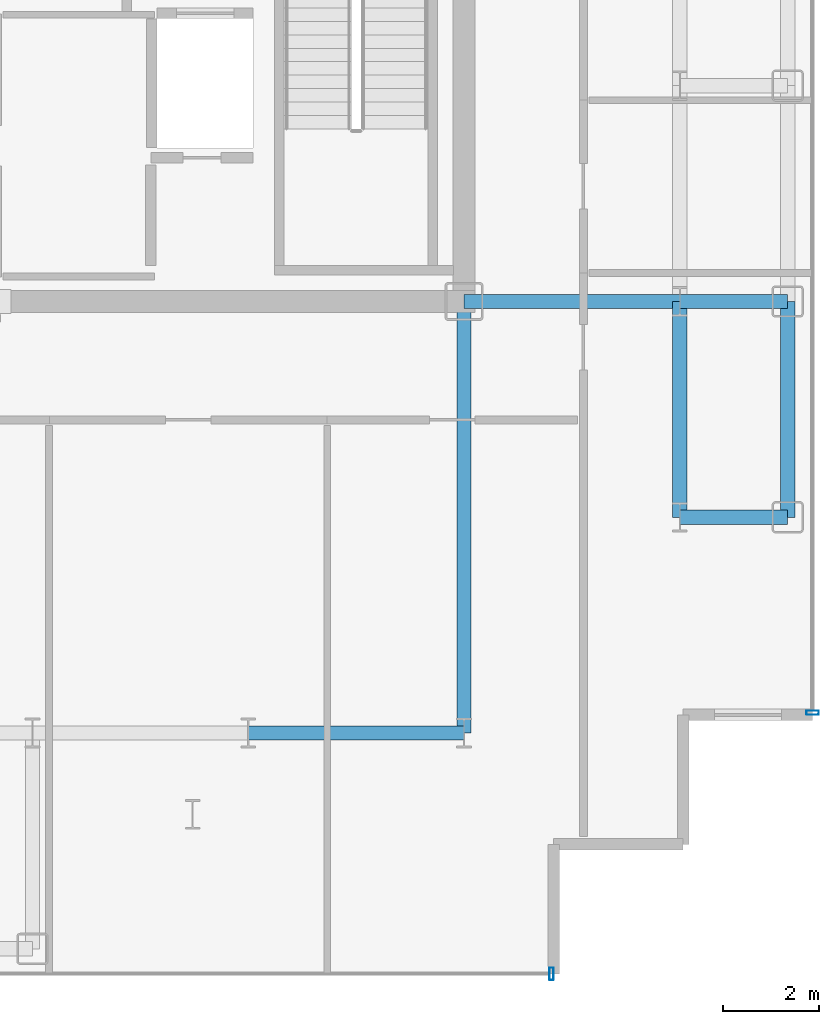
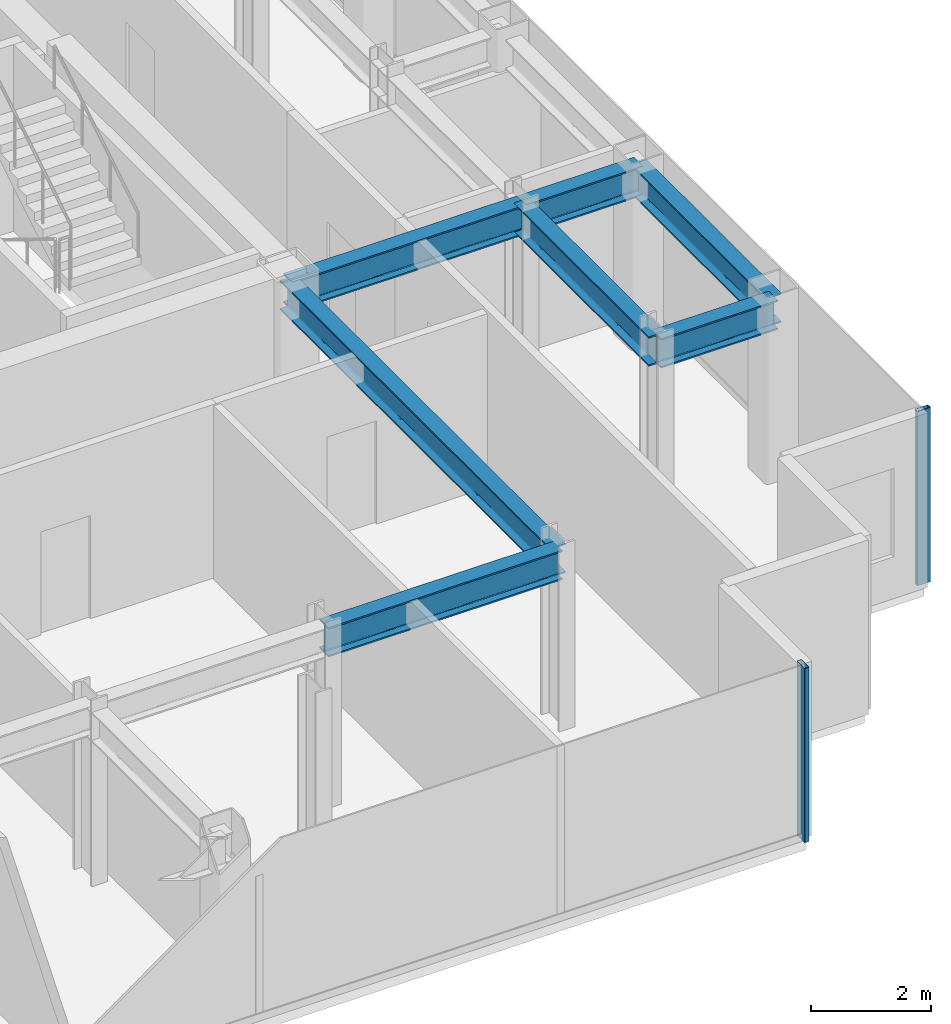
# One storey, part 6 of 18: 7 beams, 2 members, 2 elements without a shape of their own.
"""IFC4 building model written with IfcOpenShell, lengths in metres."""

from ifc_helpers import new_model, si_unit, direction, frame, origin, origin_2d, place, context, subcontext, project, spatial, hollow_rectangle, i_section, extrude, source, transform, mapped, material, layer, layer_set, material_profile, profile_set, type_object, element, aggregate, save


model = new_model("IFC4")

# Units and contexts
model_context = context("Model", 3, precision=1e-05, world=origin(), true_north=direction((0.0, 1.0)))
body_context = subcontext(model_context, "Body", "Model", "MODEL_VIEW")
ifc_project = project(units=[si_unit("LENGTHUNIT", "METRE"), si_unit("AREAUNIT", "SQUARE_METRE"), si_unit("VOLUMEUNIT", "CUBIC_METRE"), si_unit("PLANEANGLEUNIT", "RADIAN"), si_unit("MASSUNIT", "GRAM", prefix="KILO")], contexts=[model_context])

# Site, building, storey
site_placement = place(None, origin())
site = spatial("IfcSite", under=ifc_project, at=site_placement, CompositionType="ELEMENT")
building_placement = place(site_placement, origin())
building = spatial("IfcBuilding", under=site, at=building_placement, Name="Nefas-Gora Pilgrimage Tower", CompositionType="ELEMENT")
storey_placement = place(building_placement, frame((0.0, 0.0, 272.199951171875)))
storey = spatial("IfcBuildingStorey", under=building, at=storey_placement, Name="L68", CompositionType="ELEMENT", Elevation=272.199951171875)

# Beams
ifc_material_1 = material(Name="Steel S355", Category="steel")
ifc_material_profile_1 = material_profile(ifc_material_1, i_section(OverallWidth=0.300048828125, OverallDepth=0.60009765625, WebThickness=0.015380859375, FlangeThickness=0.030029296875, FilletRadius=0.027099609375, at=origin_2d()), Name="HEB 600")
ifc_profile_set_1 = profile_set([ifc_material_profile_1], Name="Steel S355")
beam_type_1 = type_object("IfcBeamType", Name="BM-SPN-HEB450", PredefinedType="SPANDREL", material=ifc_profile_set_1)
shared_shape_1 = source(origin(), body_context, "Body", "SweptSolid", [
    extrude(i_section(OverallWidth=0.300048828125, OverallDepth=0.60009765625, WebThickness=0.015380859375, FlangeThickness=0.030029296875, FilletRadius=0.027099609375, at=origin_2d()), origin(), (0.0, 0.0, 1.0), 4.5),
])
beam_1_placement = place(storey_placement, frame((18.0, -13.5, 3.25), z_axis=(0.0, 1.0, 0.0), x_axis=(-1.0, 0.0, 0.0)))
element("IfcBeam", 1, at=beam_1_placement, inside=storey, type_object=beam_type_1, Name="L68 SP-03 beam", PredefinedType="SPANDREL", context=body_context, shape_type="MappedRepresentation", body=[
    mapped(shared_shape_1, transform((0.0, 0.0, 0.0), x_axis=(1.0, 0.0, 0.0), y_axis=(0.0, 1.0, 0.0), z_axis=(0.0, 0.0, 1.0), scale=1.0)),
])
ifc_material_profile_2 = material_profile(ifc_material_1, i_section(OverallWidth=0.300048828125, OverallDepth=0.60009765625, WebThickness=0.015380859375, FlangeThickness=0.030029296875, FilletRadius=0.027099609375, at=origin_2d()), Name="HEB 600")
ifc_profile_set_2 = profile_set([ifc_material_profile_2], Name="Steel S355")
beam_type_2 = type_object("IfcBeamType", Name="BM-GIR-HEB600", PredefinedType="BEAM", material=ifc_profile_set_2)
shared_shape_2 = source(origin(), body_context, "Body", "SweptSolid", [
    extrude(i_section(OverallWidth=0.300048828125, OverallDepth=0.60009765625, WebThickness=0.015380859375, FlangeThickness=0.030029296875, FilletRadius=0.027099609375, at=origin_2d()), origin(), (0.0, 0.0, 1.0), 9.0),
])
beam_2_placement = place(storey_placement, frame((11.25, -18.0, 3.25), z_axis=(0.0, 1.0, 0.0), x_axis=(-1.0, 0.0, 0.0)))
element("IfcBeam", 2, at=beam_2_placement, inside=storey, type_object=beam_type_2, Name="L68 G-04 beam", PredefinedType="BEAM", context=body_context, shape_type="MappedRepresentation", body=[
    mapped(shared_shape_2, transform((0.0, 0.0, 0.0), x_axis=(1.0, 0.0, 0.0), y_axis=(0.0, 1.0, 0.0), z_axis=(0.0, 0.0, 1.0), scale=1.0)),
])
shared_shape_3 = source(origin(), body_context, "Body", "SweptSolid", [
    extrude(i_section(OverallWidth=0.300048828125, OverallDepth=0.60009765625, WebThickness=0.015380859375, FlangeThickness=0.030029296875, FilletRadius=0.027099609375, at=origin_2d()), origin(), (0.0, 0.0, 1.0), 4.5),
])
for number, where, z_axis, x_axis, name in (
    (3, (6.75, -18.0, 3.25), (1.0, 0.0, 0.0), (0.0, 1.0, 0.0), "L68 G-04 beam"),
    (4, (11.25, -9.0, 3.25), (1.0, 0.0, 0.0), (0.0, 1.0, 0.0), "L68 G-04 beam"),
    (5, (15.75, -13.5, 3.25), (0.0, 1.0, 0.0), (-1.0, 0.0, 0.0), "L68 G-04 beam"),
):
    element("IfcBeam", number, at=place(storey_placement, frame(where, z_axis=z_axis, x_axis=x_axis)), inside=storey, type_object=beam_type_2, Name=name, PredefinedType="BEAM", context=body_context, shape_type="MappedRepresentation", body=[
        mapped(shared_shape_3, transform((0.0, 0.0, 0.0), x_axis=(1.0, 0.0, 0.0), y_axis=(0.0, 1.0, 0.0), z_axis=(0.0, 0.0, 1.0), scale=1.0)),
    ])
shared_shape_4 = source(origin(), body_context, "Body", "SweptSolid", [
    extrude(i_section(OverallWidth=0.300048828125, OverallDepth=0.60009765625, WebThickness=0.015380859375, FlangeThickness=0.030029296875, FilletRadius=0.027099609375, at=origin_2d()), origin(), (0.0, 0.0, 1.0), 2.25),
])
for number, where, z_axis, x_axis, name in (
    (6, (15.75, -13.5, 3.25), (1.0, 0.0, 0.0), (0.0, 1.0, 0.0), "L68 G-04 beam"),
    (7, (15.75, -9.0, 3.25), (1.0, 0.0, 0.0), (0.0, 1.0, 0.0), "L68 G-04 beam"),
):
    element("IfcBeam", number, at=place(storey_placement, frame(where, z_axis=z_axis, x_axis=x_axis)), inside=storey, type_object=beam_type_2, Name=name, PredefinedType="BEAM", context=body_context, shape_type="MappedRepresentation", body=[
        mapped(shared_shape_4, transform((0.0, 0.0, 0.0), x_axis=(1.0, 0.0, 0.0), y_axis=(0.0, 1.0, 0.0), z_axis=(0.0, 0.0, 1.0), scale=1.0)),
    ])

# Curtain wall, member
ifc_material_2 = material(Name="Dark ceramic-fritted solar-control aluminium-glass curtain wall", Category="aluminium")
ifc_layer = layer(ifc_material_2, 0.219970703125)
ifc_layer_set = layer_set([ifc_layer], Name="Dark ceramic-fritted solar-control aluminium-glass curtain wall")
curtain_wall_type = type_object("IfcCurtainWallType", Name="CW-SYS-4", PredefinedType="NOTDEFINED", material=ifc_layer_set)
curtain_wall_1_placement = place(storey_placement, origin())
curtain_wall_1 = element("IfcCurtainWall", 8, at=curtain_wall_1_placement, inside=storey, type_object=curtain_wall_type, Name="L68 Unitised Curtain Wall CW4", PredefinedType="NOTDEFINED")
ifc_material_3 = material(Name="Anodised architectural aluminium", Category="aluminium")
ifc_material_profile_3 = material_profile(ifc_material_3, hollow_rectangle(XDim=0.090087890625, YDim=0.260009765625, WallThickness=0.006103515625, InnerFilletRadius=0.006103515625, OuterFilletRadius=0.011962890625, at=origin_2d()), Name="ALU MULLION 90x260")
ifc_profile_set_3 = profile_set([ifc_material_profile_3], Name="Anodised architectural aluminium")
member_type = type_object("IfcMemberType", Name="CWM-MUL-4", PredefinedType="MULLION", material=ifc_profile_set_3)
shared_shape_5 = source(origin(), body_context, "Body", "SweptSolid", [
    extrude(hollow_rectangle(XDim=0.090087890625, YDim=0.260009765625, WallThickness=0.006103515625, InnerFilletRadius=0.006103515625, OuterFilletRadius=0.011962890625, at=origin_2d()), origin(), (0.0, 0.0, 1.0), 3.550048828125),
])
member_1_placement = place(storey_placement, frame((18.52001953125, -17.574951171875, 0.0), z_axis=(0.0, 0.0, 1.0), x_axis=(0.0, 1.0, 0.0)))
member_1 = element("IfcMember", 9, at=member_1_placement, type_object=member_type, Name="CW4 Mullion 1", PredefinedType="MULLION", context=body_context, shape_type="MappedRepresentation", body=[
    mapped(shared_shape_5, transform((0.0, 0.0, 0.0), x_axis=(1.0, 0.0, 0.0), y_axis=(0.0, 1.0, 0.0), z_axis=(0.0, 0.0, 1.0), scale=1.0)),
])
aggregate(curtain_wall_1, [member_1])

curtain_wall_2_placement = place(storey_placement, origin())
curtain_wall_2 = element("IfcCurtainWall", 10, at=curtain_wall_2_placement, inside=storey, type_object=curtain_wall_type, Name="L68 Unitised Curtain Wall CW4", PredefinedType="NOTDEFINED")
member_2_placement = place(storey_placement, frame((13.074951171875, -23.02001953125, 0.0), z_axis=(0.0, 0.0, 1.0), x_axis=(1.0, 0.0, 0.0)))
member_2 = element("IfcMember", 11, at=member_2_placement, type_object=member_type, Name="CW4 Mullion 2", PredefinedType="MULLION", context=body_context, shape_type="MappedRepresentation", body=[
    mapped(shared_shape_5, transform((0.0, 0.0, 0.0), x_axis=(1.0, 0.0, 0.0), y_axis=(0.0, 1.0, 0.0), z_axis=(0.0, 0.0, 1.0), scale=1.0)),
])
aggregate(curtain_wall_2, [member_2])

save(model, "model.ifc")
